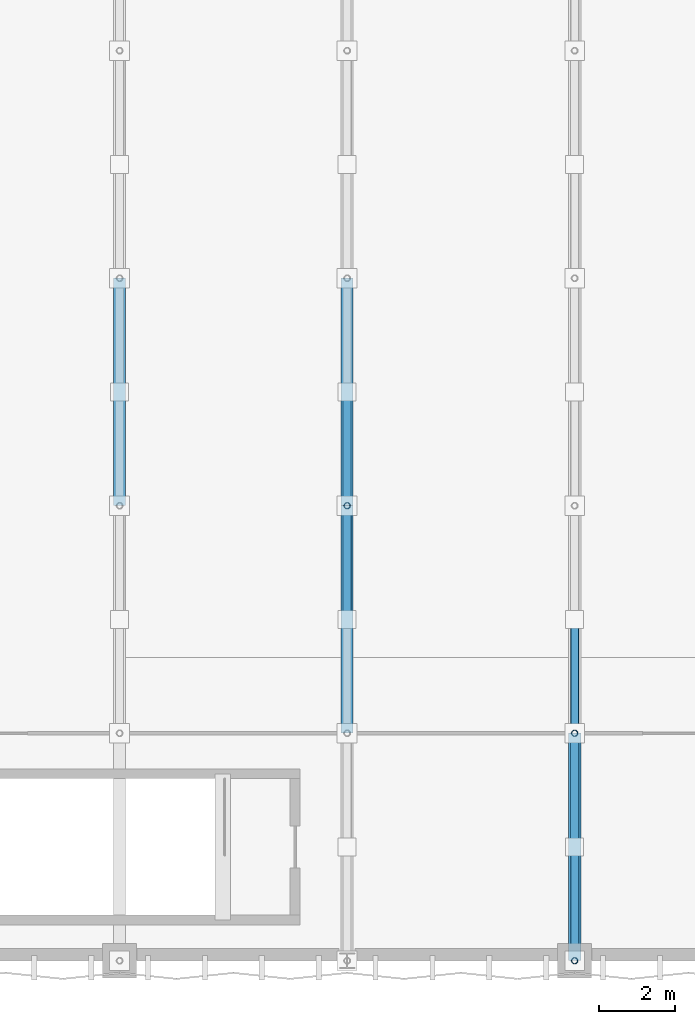
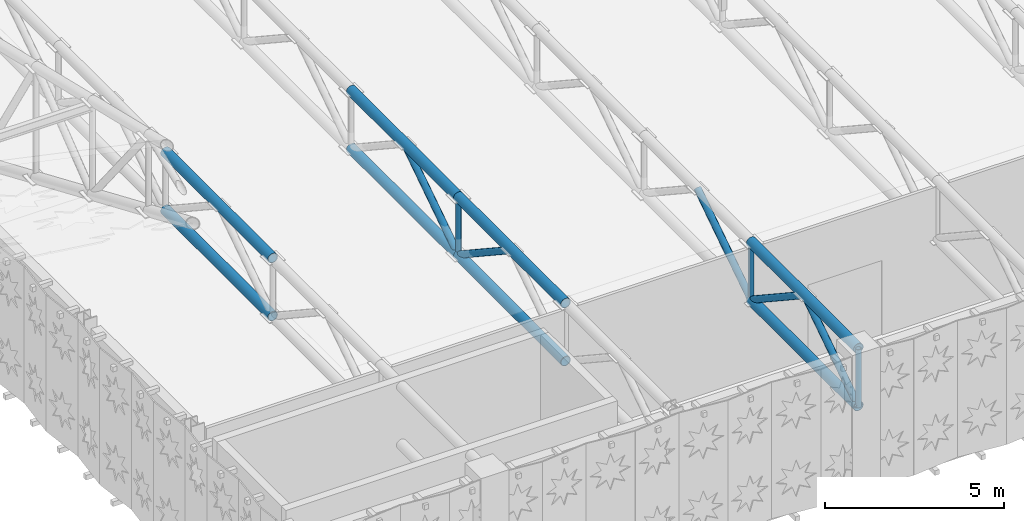
# One storey, part 23 of 123: 16 members.
"""IFC4 building model written with IfcOpenShell, lengths in metres."""

from ifc_helpers import new_model, si_unit, direction, frame, origin, origin_2d, place, context, subcontext, project, spatial, hollow_circle, extrude, material, material_profile, profile_set, type_object, element, save


model = new_model("IFC4")

# Units and contexts
model_context = context("Model", 3, precision=1e-05, world=origin(), true_north=direction((0.0, 1.0)))
body_context = subcontext(model_context, "Body", "Model", "MODEL_VIEW")
ifc_project = project(units=[si_unit("LENGTHUNIT", "METRE"), si_unit("AREAUNIT", "SQUARE_METRE"), si_unit("VOLUMEUNIT", "CUBIC_METRE"), si_unit("PLANEANGLEUNIT", "RADIAN"), si_unit("MASSUNIT", "GRAM", prefix="KILO"), si_unit("THERMODYNAMICTEMPERATUREUNIT", "KELVIN"), si_unit("POWERUNIT", "WATT")], contexts=[model_context])

# Site, building, storey
site_placement = place(None, origin())
site = spatial("IfcSite", under=ifc_project, at=site_placement, CompositionType="ELEMENT")
building_placement = place(site_placement, origin())
building = spatial("IfcBuilding", under=site, at=building_placement, Name="Phaisarnlok Congress Hotel", CompositionType="ELEMENT")
storey_placement = place(building_placement, frame((0.0, 0.0, 15.0)))
storey = spatial("IfcBuildingStorey", under=building, at=storey_placement, Name="L03", CompositionType="ELEMENT", Elevation=15.0)

# Members
ifc_material = material(Name="Steel S355", Category="steel")
ifc_material_profile_1 = material_profile(ifc_material, hollow_circle(Radius=0.084228515625, WallThickness=0.010009765625, at=origin_2d()), Name="CHS 168.3x10")
ifc_profile_set_1 = profile_set([ifc_material_profile_1], Name="Steel S355")
member_type_1 = type_object("IfcMemberType", Name="MEM-BRC-CHS168", PredefinedType="BRACE", material=ifc_profile_set_1)
for number, where, z_axis, x_axis, name in (
    (1, (108.0, 12.0, 2.64990234375), (0.0, 0.0, 1.0), (1.0, 0.0, 0.0), "Ballroom truss vertical web TB-01"),
    (2, (114.0, 0.0, 2.64990234375), (0.0, 0.0, 1.0), (1.0, 0.0, 0.0), "Ballroom truss vertical web TB-01"),
    (3, (114.0, 6.0, 2.64990234375), (0.0, 0.0, 1.0), (1.0, 0.0, 0.0), "Ballroom truss vertical web TB-01"),
):
    element("IfcMember", number, at=place(storey_placement, frame(where, z_axis=z_axis, x_axis=x_axis)), inside=storey, type_object=member_type_1, Name=name, PredefinedType="BRACE", context=body_context, shape_type="SweptSolid", body=[
        extrude(hollow_circle(Radius=0.084228515625, WallThickness=0.010009765625, at=origin_2d()), origin(), (0.0, 0.0, 1.0), 1.97998046875),
    ])
ifc_material_profile_2 = material_profile(ifc_material, hollow_circle(Radius=0.109619140625, WallThickness=0.012451171875, at=origin_2d()), Name="CHS 219.1x12.5")
ifc_profile_set_2 = profile_set([ifc_material_profile_2], Name="Steel S355")
member_type_2 = type_object("IfcMemberType", Name="MEM-BRC-CHS219", PredefinedType="BRACE", material=ifc_profile_set_2)
for number, where, z_axis, x_axis, name in (
    (4, (108.0, 12.0, 2.64990234375), (0.0, -0.834611904619, 0.550838423377), (1.0, 0.0, 0.0), "Ballroom truss diagonal web TB-02"),
    (5, (108.0, 12.0, 2.64990234375), (0.0, 0.834611904619, 0.550838423377), (-1.0, 0.0, 0.0), "Ballroom truss diagonal web TB-02"),
    (6, (114.0, 0.0, 2.64990234375), (0.0, 0.834611904619, 0.550838423377), (-1.0, 0.0, 0.0), "Ballroom truss diagonal web TB-02"),
    (7, (114.0, 6.0, 2.64990234375), (0.0, -0.834611904619, 0.550838423377), (1.0, 0.0, 0.0), "Ballroom truss diagonal web TB-02"),
    (8, (114.0, 6.0, 2.64990234375), (0.0, 0.834611904619, 0.550838423377), (-1.0, 0.0, 0.0), "Ballroom truss diagonal web TB-02"),
):
    element("IfcMember", number, at=place(storey_placement, frame(where, z_axis=z_axis, x_axis=x_axis)), inside=storey, type_object=member_type_2, Name=name, PredefinedType="BRACE", context=body_context, shape_type="SweptSolid", body=[
        extrude(hollow_circle(Radius=0.109619140625, WallThickness=0.012451171875, at=origin_2d()), origin(), (0.0, 0.0, 1.0), 3.594482421875),
    ])
ifc_material_profile_3 = material_profile(ifc_material, hollow_circle(Radius=0.161865234375, WallThickness=0.01611328125, at=origin_2d()), Name="CHS 323.9x16")
ifc_profile_set_3 = profile_set([ifc_material_profile_3], Name="Steel S355")
member_type_3 = type_object("IfcMemberType", Name="MEM-CHD-CHS324", PredefinedType="CHORD", material=ifc_profile_set_3)
for number, where, z_axis, x_axis, name in (
    (9, (102.0, 12.0, 4.6298828125), (0.0, 1.0, 0.0), (-1.0, 0.0, 0.0), "Ballroom truss top chord TC-02"),
    (10, (102.0, 12.0, 2.64990234375), (0.0, 1.0, 0.0), (-1.0, 0.0, 0.0), "Ballroom truss bottom chord TC-02"),
    (11, (108.0, 6.0, 4.6298828125), (0.0, 1.0, 0.0), (-1.0, 0.0, 0.0), "Ballroom truss top chord TC-02"),
    (12, (108.0, 6.0, 2.64990234375), (0.0, 1.0, 0.0), (-1.0, 0.0, 0.0), "Ballroom truss bottom chord TC-02"),
    (13, (108.0, 12.0, 4.6298828125), (0.0, 1.0, 0.0), (-1.0, 0.0, 0.0), "Ballroom truss top chord TC-02"),
    (14, (108.0, 12.0, 2.64990234375), (0.0, 1.0, 0.0), (-1.0, 0.0, 0.0), "Ballroom truss bottom chord TC-02"),
    (15, (114.0, 0.0, 4.6298828125), (0.0, 1.0, 0.0), (-1.0, 0.0, 0.0), "Ballroom truss top chord TC-02"),
    (16, (114.0, 0.0, 2.64990234375), (0.0, 1.0, 0.0), (-1.0, 0.0, 0.0), "Ballroom truss bottom chord TC-02"),
):
    element("IfcMember", number, at=place(storey_placement, frame(where, z_axis=z_axis, x_axis=x_axis)), inside=storey, type_object=member_type_3, Name=name, PredefinedType="CHORD", context=body_context, shape_type="SweptSolid", body=[
        extrude(hollow_circle(Radius=0.161865234375, WallThickness=0.01611328125, at=origin_2d()), origin(), (0.0, 0.0, 1.0), 6.0),
    ])

save(model, "model.ifc")
